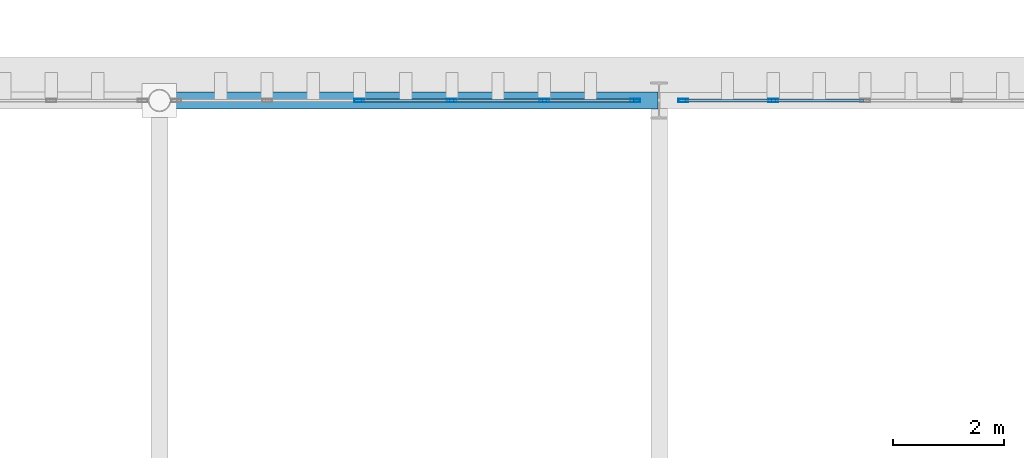
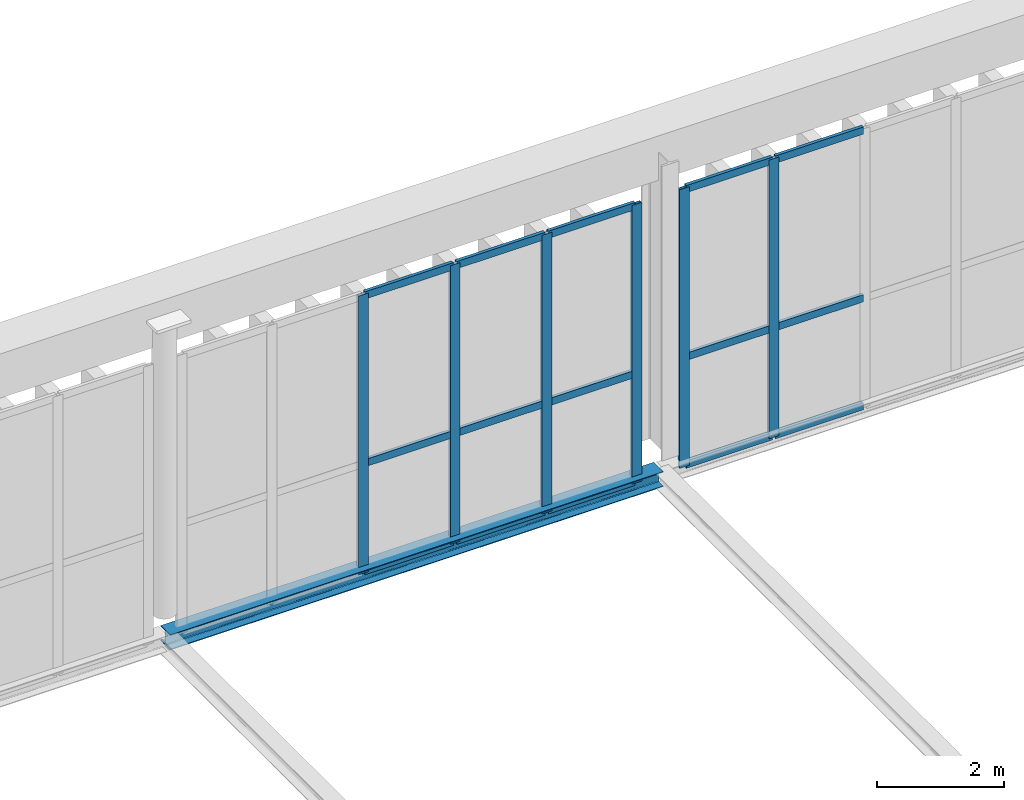
# One storey, part 172 of 237: 21 members, 1 beam, 2 elements without a shape of their own.
"""IFC4 building model written with IfcOpenShell, lengths in metres."""

import ifcopenshell
import ifcopenshell.guid

model = None  # the IFC model being written
_history = None  # IfcOwnerHistory: only IFC2X3 demands one
_inside = {}  # id of a spatial element -> (the spatial element, [elements in it])
_under = {}  # id of a project, library or spatial element -> (it, [spatial elements below it])
_declared = {}  # id of a project -> (the project, [libraries it declares])
_typed = {}  # id of a type object -> (the type object, [elements of that type])
_made_of = {}  # id of a material, layer set ... -> (it, [elements and type objects made of it])


def new_model(schema):
    """Start an empty IFC model of exactly this schema.

    Asked for "IFC4X3", IfcOpenShell would pick the latest addendum, in which some entities
    have other attributes; the version numbers below select the first issue.
    IFC2X3 requires an IfcOwnerHistory on every rooted entity: one is made here for all.
    """
    global model, _history
    if schema == "IFC4X3":
        model = ifcopenshell.file(schema_version=(4, 3, 0, 0))
    else:
        model = ifcopenshell.file(schema=schema)
    _inside.clear()
    _under.clear()
    _declared.clear()
    _typed.clear()
    _made_of.clear()
    _history = None
    if model.schema == "IFC2X3":
        org = make("IfcOrganization", Name="unknown")
        user = make(
            "IfcPersonAndOrganization",
            ThePerson=make("IfcPerson", FamilyName="unknown"),
            TheOrganization=org,
        )
        app = make(
            "IfcApplication",
            ApplicationDeveloper=org,
            Version="unknown",
            ApplicationFullName="unknown",
            ApplicationIdentifier="unknown",
        )
        _history = make(
            "IfcOwnerHistory",
            OwningUser=user,
            OwningApplication=app,
            ChangeAction="ADDED",
            CreationDate=0,
        )
    return model


def make(cls, **values):
    """One entity of the class cls with the attributes given. An attribute that is None is left unset."""
    return model.create_entity(
        cls, **{name: value for name, value in values.items() if value is not None}
    )


def rooted(cls, **values):
    """An entity with a GlobalId (a new one), such as an element, a storey or a relation."""
    return make(cls, GlobalId=ifcopenshell.guid.new(), OwnerHistory=_history, **values)


def si_unit(unit_type, name, prefix=None):
    """IfcSIUnit, for example si_unit("LENGTHUNIT", "METRE", prefix="MILLI")."""
    return make("IfcSIUnit", UnitType=unit_type, Prefix=prefix, Name=name)


def assignment(units):
    """IfcUnitAssignment: the units of a project."""
    return None if units is None else make("IfcUnitAssignment", Units=units)


def point(xyz):
    """IfcCartesianPoint."""
    return None if xyz is None else make("IfcCartesianPoint", Coordinates=xyz)


def direction(xyz):
    """IfcDirection."""
    return None if xyz is None else make("IfcDirection", DirectionRatios=xyz)


def frame(location, z_axis=None, x_axis=None):
    """IfcAxis2Placement3D, a coordinate frame: its origin and axes. An axis left out is left unset."""
    return make(
        "IfcAxis2Placement3D",
        Location=point(location),
        Axis=direction(z_axis),
        RefDirection=direction(x_axis),
    )


def frame_2d(location, x_axis=None):
    """IfcAxis2Placement2D, a coordinate frame in the plane: its origin and x axis."""
    return make(
        "IfcAxis2Placement2D", Location=point(location), RefDirection=direction(x_axis)
    )


def origin():
    """The frame at (0, 0, 0) with its axes left unset."""
    return frame((0.0, 0.0, 0.0))


def origin_2d():
    """The frame at (0, 0) in the plane with its x axis left unset."""
    return frame_2d((0.0, 0.0))


def place(relative_to, where):
    """IfcLocalPlacement: puts the frame where relative to a parent placement (None: the world)."""
    return make(
        "IfcLocalPlacement", PlacementRelTo=relative_to, RelativePlacement=where
    )


def context(
    kind, dimensions, precision=None, world=None, true_north=None, identifier=None
):
    """IfcGeometricRepresentationContext, for example the 3D "Model" context."""
    return make(
        "IfcGeometricRepresentationContext",
        ContextIdentifier=identifier,
        ContextType=kind,
        CoordinateSpaceDimension=dimensions,
        Precision=precision,
        WorldCoordinateSystem=world,
        TrueNorth=true_north,
    )


def subcontext(parent, identifier, kind, view, scale=None):
    """IfcGeometricRepresentationSubContext, for example "Body" below "Model"."""
    return make(
        "IfcGeometricRepresentationSubContext",
        ContextIdentifier=identifier,
        ContextType=kind,
        ParentContext=parent,
        TargetScale=scale,
        TargetView=view,
    )


def project(units=None, contexts=None):
    """IfcProject with its units and contexts."""
    return rooted(
        "IfcProject",
        Name="project",
        RepresentationContexts=contexts,
        UnitsInContext=assignment(units),
    )


def spatial(cls, under=None, at=None, **own):
    """A site, building, storey or space (cls), placed at a placement, below another one or the project."""
    s = rooted(cls, ObjectPlacement=at, **own)
    if under is not None:
        _under.setdefault(under.id(), (under, []))[1].append(s)
    return s


def profile(cls, at=None, kind="AREA", **sizes):
    """A parametric profile (cls). Its sizes go by their IFC names, for example OverallWidth=200.0."""
    return make(cls, ProfileType=kind, Position=at, **sizes)


def hollow_rectangle(**sizes):
    """IfcRectangleHollowProfileDef."""
    return profile("IfcRectangleHollowProfileDef", **sizes)


def i_section(**sizes):
    """IfcIShapeProfileDef."""
    return profile("IfcIShapeProfileDef", **sizes)


def extrude(swept, where, along, depth):
    """IfcExtrudedAreaSolid: the profile swept, set in the frame where, extruded along a direction by depth."""
    return make(
        "IfcExtrudedAreaSolid",
        SweptArea=swept,
        Position=where,
        ExtrudedDirection=direction(along),
        Depth=depth,
    )


def shape(context_of_items, identifier, shape_type, items):
    """IfcShapeRepresentation: the items that make up one representation, for example the "Body"."""
    return make(
        "IfcShapeRepresentation",
        ContextOfItems=context_of_items,
        RepresentationIdentifier=identifier,
        RepresentationType=shape_type,
        Items=items,
    )


def material(Name=None, Category=None):
    """IfcMaterial."""
    return make("IfcMaterial", Name=Name, Category=Category)


def layer(
    of_material, thickness, ventilated=None, Name=None, Category=None, Priority=None
):
    """IfcMaterialLayer: one layer of a wall or slab, of a material (None: an air gap)."""
    return make(
        "IfcMaterialLayer",
        Material=of_material,
        LayerThickness=thickness,
        IsVentilated=ventilated,
        Name=Name,
        Category=Category,
        Priority=Priority,
    )


def layer_set(layers, Name=None):
    """IfcMaterialLayerSet."""
    return make("IfcMaterialLayerSet", MaterialLayers=layers, LayerSetName=Name)


def material_profile(
    of_material, cross_section, Name=None, Category=None, Priority=None
):
    """IfcMaterialProfile: a cross section and its material."""
    return make(
        "IfcMaterialProfile",
        Name=Name,
        Material=of_material,
        Profile=cross_section,
        Priority=Priority,
        Category=Category,
    )


def profile_set(profiles, Name=None, composite=None):
    """IfcMaterialProfileSet."""
    return make(
        "IfcMaterialProfileSet",
        Name=Name,
        MaterialProfiles=profiles,
        CompositeProfile=composite,
    )


def made_of(thing, what):
    """Note that an element or type object is made of a material, layer set ...; save() writes the relation."""
    if what is not None:
        _made_of.setdefault(what.id(), (what, []))[1].append(thing)
    return thing


def type_object(cls, material=None, **own):
    """A type object (cls), such as IfcWallType, which elements share."""
    return made_of(rooted(cls, **own), material)


def element(
    cls,
    number,
    at=None,
    inside=None,
    cuts=None,
    type_object=None,
    material=None,
    context=None,
    identifier="Body",
    shape_type=None,
    held_by="IfcProductDefinitionShape",
    body=None,
    shapes=None,
    **own,
):
    """One element of the class cls, such as IfcWall. Its Tag is "e" and its number.

    at: its placement. inside: the storey or other place that contains it. cuts: it is an
    opening in that element (IfcRelVoidsElement). A single representation is given by context,
    identifier, shape_type and body (its items); several are given by shapes. held_by: the class
    of the entity that holds the representations. save() writes the other relations.
    """
    e = rooted(cls, Tag="e%d" % number, ObjectPlacement=at, **own)
    if body is not None:
        shapes = [shape(context, identifier, shape_type, body)]
    if shapes is not None:
        e.Representation = make(held_by, Representations=shapes)
    if inside is not None:
        _inside.setdefault(inside.id(), (inside, []))[1].append(e)
    if cuts is not None:
        rooted(
            "IfcRelVoidsElement", RelatingBuildingElement=cuts, RelatedOpeningElement=e
        )
    if type_object is not None:
        _typed.setdefault(type_object.id(), (type_object, []))[1].append(e)
    return made_of(e, material)


def aggregate(whole, parts):
    """IfcRelAggregates: a whole, such as a stair, and the parts it consists of."""
    return rooted("IfcRelAggregates", RelatingObject=whole, RelatedObjects=parts)


def save(model, path):
    """Write the relations noted so far, then the file.

    IfcRelAggregates (storeys below a building ...), IfcRelContainedInSpatialStructure (elements
    in a storey), IfcRelDefinesByType, IfcRelAssociatesMaterial and IfcRelDeclares: one each for
    every whole, place, type object, material and project.
    """
    for whole, parts in _under.values():
        aggregate(whole, parts)
    for where, things in _inside.values():
        rooted(
            "IfcRelContainedInSpatialStructure",
            RelatedElements=things,
            RelatingStructure=where,
        )
    for kind, things in _typed.values():
        rooted("IfcRelDefinesByType", RelatedObjects=things, RelatingType=kind)
    for what, things in _made_of.values():
        rooted("IfcRelAssociatesMaterial", RelatedObjects=things, RelatingMaterial=what)
    for by, libraries in _declared.values():
        rooted("IfcRelDeclares", RelatingContext=by, RelatedDefinitions=libraries)
    model.write(path)


model = new_model("IFC4")

# Units and contexts
model_context = context("Model", 3, precision=1e-05, world=origin(), true_north=direction((0.0, 1.0)))
body_context = subcontext(model_context, "Body", "Model", "MODEL_VIEW")
ifc_project = project(units=[si_unit("LENGTHUNIT", "METRE"), si_unit("AREAUNIT", "SQUARE_METRE"), si_unit("VOLUMEUNIT", "CUBIC_METRE"), si_unit("PLANEANGLEUNIT", "RADIAN"), si_unit("MASSUNIT", "GRAM", prefix="KILO")], contexts=[model_context])

# Site, building, storey
site_placement = place(None, origin())
site = spatial("IfcSite", under=ifc_project, at=site_placement, CompositionType="ELEMENT")
building_placement = place(site_placement, origin())
building = spatial("IfcBuilding", under=site, at=building_placement, Name="Barlavento Convention Centre", CompositionType="ELEMENT")
storey_placement = place(building_placement, frame((0.0, 0.0, 12.0)))
storey = spatial("IfcBuildingStorey", under=building, at=storey_placement, Name="L02", CompositionType="ELEMENT", Elevation=12.0)

# Curtain wall, members
ifc_material_1 = material(Name="Powder-coated aluminium and Low-E glass", Category="aluminium")
ifc_layer = layer(ifc_material_1, 0.18505859375)
ifc_layer_set = layer_set([ifc_layer], Name="ARC-CW-EXH-L02")
curtain_wall_type = type_object("IfcCurtainWallType", Name="ARC-CW-EXH-L02", PredefinedType="NOTDEFINED", material=ifc_layer_set)
curtain_wall_1_placement = place(storey_placement, origin())
curtain_wall_1 = element("IfcCurtainWall", 1, at=curtain_wall_1_placement, inside=storey, type_object=curtain_wall_type, Name="L02 unitised curtain wall CW05", PredefinedType="NOTDEFINED")
ifc_material_2 = material(Name="Powder-coated aluminium", Category="aluminium")
ifc_material_profile_1 = material_profile(ifc_material_2, hollow_rectangle(XDim=0.06005859375, YDim=0.179931640625, WallThickness=0.0048828125, at=origin_2d()), Name="AL-MULL 60x180x5")
ifc_profile_set_1 = profile_set([ifc_material_profile_1], Name="Powder-coated aluminium")
member_type_1 = type_object("IfcMemberType", Name="ARC-CWM-60X180", PredefinedType="MULLION", material=ifc_profile_set_1)
member_1_placement = place(storey_placement, frame((57.602294921875, 135.0, -0.5), z_axis=(0.0, 0.0, 1.0), x_axis=(0.0, 1.0, 0.0)))
member_1 = element("IfcMember", 2, at=member_1_placement, type_object=member_type_1, Name="CW05 mullion 3", PredefinedType="MULLION", context=body_context, shape_type="SweptSolid", body=[
    extrude(hollow_rectangle(XDim=0.06005859375, YDim=0.179931640625, WallThickness=0.0048828125, at=origin_2d()), origin(), (0.0, 0.0, 1.0), 5.35009765625),
])
member_2_placement = place(storey_placement, frame((59.266845703125, 135.0, -0.5), z_axis=(0.0, 0.0, 1.0), x_axis=(0.0, 1.0, 0.0)))
member_2 = element("IfcMember", 3, at=member_2_placement, type_object=member_type_1, Name="CW05 mullion 4", PredefinedType="MULLION", context=body_context, shape_type="SweptSolid", body=[
    extrude(hollow_rectangle(XDim=0.06005859375, YDim=0.179931640625, WallThickness=0.0048828125, at=origin_2d()), origin(), (0.0, 0.0, 1.0), 5.35009765625),
])
member_3_placement = place(storey_placement, frame((60.931396484375, 135.0, -0.5), z_axis=(0.0, 0.0, 1.0), x_axis=(0.0, 1.0, 0.0)))
member_3 = element("IfcMember", 4, at=member_3_placement, type_object=member_type_1, Name="CW05 mullion 5", PredefinedType="MULLION", context=body_context, shape_type="SweptSolid", body=[
    extrude(hollow_rectangle(XDim=0.06005859375, YDim=0.179931640625, WallThickness=0.0048828125, at=origin_2d()), origin(), (0.0, 0.0, 1.0), 5.35009765625),
])
member_4_placement = place(storey_placement, frame((62.56591796875, 135.0, -0.5), z_axis=(0.0, 0.0, 1.0), x_axis=(0.0, 1.0, 0.0)))
member_4 = element("IfcMember", 5, at=member_4_placement, type_object=member_type_1, Name="CW05 mullion 6", PredefinedType="MULLION", context=body_context, shape_type="SweptSolid", body=[
    extrude(hollow_rectangle(XDim=0.06005859375, YDim=0.179931640625, WallThickness=0.0048828125, at=origin_2d()), origin(), (0.0, 0.0, 1.0), 5.35009765625),
])

curtain_wall_2_placement = place(storey_placement, origin())
curtain_wall_2 = element("IfcCurtainWall", 6, at=curtain_wall_2_placement, inside=storey, type_object=curtain_wall_type, Name="L02 unitised curtain wall CW05", PredefinedType="NOTDEFINED")
member_5_placement = place(storey_placement, frame((63.43408203125, 135.0, -0.5), z_axis=(0.0, 0.0, 1.0), x_axis=(0.0, 1.0, 0.0)))
member_5 = element("IfcMember", 7, at=member_5_placement, type_object=member_type_1, Name="CW05 mullion 1", PredefinedType="MULLION", context=body_context, shape_type="SweptSolid", body=[
    extrude(hollow_rectangle(XDim=0.06005859375, YDim=0.179931640625, WallThickness=0.0048828125, at=origin_2d()), origin(), (0.0, 0.0, 1.0), 5.35009765625),
])
member_6_placement = place(storey_placement, frame((65.056884765625, 135.0, -0.5), z_axis=(0.0, 0.0, 1.0), x_axis=(0.0, 1.0, 0.0)))
member_6 = element("IfcMember", 8, at=member_6_placement, type_object=member_type_1, Name="CW05 mullion 2", PredefinedType="MULLION", context=body_context, shape_type="SweptSolid", body=[
    extrude(hollow_rectangle(XDim=0.06005859375, YDim=0.179931640625, WallThickness=0.0048828125, at=origin_2d()), origin(), (0.0, 0.0, 1.0), 5.35009765625),
])

# Member
ifc_material_profile_2 = material_profile(ifc_material_2, hollow_rectangle(XDim=0.06005859375, YDim=0.139892578125, WallThickness=0.00390625, at=origin_2d()), Name="AL-TRAN 60x140x4")
ifc_profile_set_2 = profile_set([ifc_material_profile_2], Name="Powder-coated aluminium")
member_type_2 = type_object("IfcMemberType", Name="ARC-CWT-60X140", PredefinedType="USERDEFINED", material=ifc_profile_set_2)
member_7_placement = place(storey_placement, frame((57.63232421875, 135.0, -0.469970703125), z_axis=(1.0, 0.0, 0.0), x_axis=(0.0, 1.0, 0.0)))
member_7 = element("IfcMember", 9, at=member_7_placement, type_object=member_type_2, Name="CW05 transom 3.1", ObjectType="TRANSOM", PredefinedType="USERDEFINED", context=body_context, shape_type="SweptSolid", body=[
    extrude(hollow_rectangle(XDim=0.06005859375, YDim=0.139892578125, WallThickness=0.00390625, at=origin_2d()), origin(), (0.0, 0.0, 1.0), 1.6044921875),
])

member_8_placement = place(storey_placement, frame((57.63232421875, 135.0, 1.60009765625), z_axis=(1.0, 0.0, 0.0), x_axis=(0.0, 1.0, 0.0)))
member_8 = element("IfcMember", 10, at=member_8_placement, type_object=member_type_2, Name="CW05 transom 3.2", ObjectType="TRANSOM", PredefinedType="USERDEFINED", context=body_context, shape_type="SweptSolid", body=[
    extrude(hollow_rectangle(XDim=0.06005859375, YDim=0.139892578125, WallThickness=0.00390625, at=origin_2d()), origin(), (0.0, 0.0, 1.0), 1.6044921875),
])

member_9_placement = place(storey_placement, frame((57.63232421875, 135.0, 4.820068359375), z_axis=(1.0, 0.0, 0.0), x_axis=(0.0, 1.0, 0.0)))
member_9 = element("IfcMember", 11, at=member_9_placement, type_object=member_type_2, Name="CW05 transom 3.3", ObjectType="TRANSOM", PredefinedType="USERDEFINED", context=body_context, shape_type="SweptSolid", body=[
    extrude(hollow_rectangle(XDim=0.06005859375, YDim=0.139892578125, WallThickness=0.00390625, at=origin_2d()), origin(), (0.0, 0.0, 1.0), 1.6044921875),
])

member_10_placement = place(storey_placement, frame((59.296875, 135.0, -0.469970703125), z_axis=(1.0, 0.0, 0.0), x_axis=(0.0, 1.0, 0.0)))
member_10 = element("IfcMember", 12, at=member_10_placement, type_object=member_type_2, Name="CW05 transom 4.1", ObjectType="TRANSOM", PredefinedType="USERDEFINED", context=body_context, shape_type="SweptSolid", body=[
    extrude(hollow_rectangle(XDim=0.06005859375, YDim=0.139892578125, WallThickness=0.00390625, at=origin_2d()), origin(), (0.0, 0.0, 1.0), 1.6044921875),
])

member_11_placement = place(storey_placement, frame((59.296875, 135.0, 1.60009765625), z_axis=(1.0, 0.0, 0.0), x_axis=(0.0, 1.0, 0.0)))
member_11 = element("IfcMember", 13, at=member_11_placement, type_object=member_type_2, Name="CW05 transom 4.2", ObjectType="TRANSOM", PredefinedType="USERDEFINED", context=body_context, shape_type="SweptSolid", body=[
    extrude(hollow_rectangle(XDim=0.06005859375, YDim=0.139892578125, WallThickness=0.00390625, at=origin_2d()), origin(), (0.0, 0.0, 1.0), 1.6044921875),
])

member_12_placement = place(storey_placement, frame((59.296875, 135.0, 4.820068359375), z_axis=(1.0, 0.0, 0.0), x_axis=(0.0, 1.0, 0.0)))
member_12 = element("IfcMember", 14, at=member_12_placement, type_object=member_type_2, Name="CW05 transom 4.3", ObjectType="TRANSOM", PredefinedType="USERDEFINED", context=body_context, shape_type="SweptSolid", body=[
    extrude(hollow_rectangle(XDim=0.06005859375, YDim=0.139892578125, WallThickness=0.00390625, at=origin_2d()), origin(), (0.0, 0.0, 1.0), 1.6044921875),
])

member_13_placement = place(storey_placement, frame((60.96142578125, 135.0, -0.469970703125), z_axis=(1.0, 0.0, 0.0), x_axis=(0.0, 1.0, 0.0)))
member_13 = element("IfcMember", 15, at=member_13_placement, type_object=member_type_2, Name="CW05 transom 5.1", ObjectType="TRANSOM", PredefinedType="USERDEFINED", context=body_context, shape_type="SweptSolid", body=[
    extrude(hollow_rectangle(XDim=0.06005859375, YDim=0.139892578125, WallThickness=0.00390625, at=origin_2d()), origin(), (0.0, 0.0, 1.0), 1.574462890625),
])

member_14_placement = place(storey_placement, frame((60.96142578125, 135.0, 1.60009765625), z_axis=(1.0, 0.0, 0.0), x_axis=(0.0, 1.0, 0.0)))
member_14 = element("IfcMember", 16, at=member_14_placement, type_object=member_type_2, Name="CW05 transom 5.2", ObjectType="TRANSOM", PredefinedType="USERDEFINED", context=body_context, shape_type="SweptSolid", body=[
    extrude(hollow_rectangle(XDim=0.06005859375, YDim=0.139892578125, WallThickness=0.00390625, at=origin_2d()), origin(), (0.0, 0.0, 1.0), 1.574462890625),
])

member_15_placement = place(storey_placement, frame((60.96142578125, 135.0, 4.820068359375), z_axis=(1.0, 0.0, 0.0), x_axis=(0.0, 1.0, 0.0)))
member_15 = element("IfcMember", 17, at=member_15_placement, type_object=member_type_2, Name="CW05 transom 5.3", ObjectType="TRANSOM", PredefinedType="USERDEFINED", context=body_context, shape_type="SweptSolid", body=[
    extrude(hollow_rectangle(XDim=0.06005859375, YDim=0.139892578125, WallThickness=0.00390625, at=origin_2d()), origin(), (0.0, 0.0, 1.0), 1.574462890625),
])

aggregate(curtain_wall_1, [member_1, member_2, member_3, member_4, member_7, member_8, member_9, member_10, member_11, member_12, member_13, member_14, member_15])

member_16_placement = place(storey_placement, frame((63.464111328125, 135.0, -0.469970703125), z_axis=(1.0, 0.0, 0.0), x_axis=(0.0, 1.0, 0.0)))
member_16 = element("IfcMember", 18, at=member_16_placement, type_object=member_type_2, Name="CW05 transom 1.1", ObjectType="TRANSOM", PredefinedType="USERDEFINED", context=body_context, shape_type="SweptSolid", body=[
    extrude(hollow_rectangle(XDim=0.06005859375, YDim=0.139892578125, WallThickness=0.00390625, at=origin_2d()), origin(), (0.0, 0.0, 1.0), 1.562744140625),
])

member_17_placement = place(storey_placement, frame((63.464111328125, 135.0, 1.60009765625), z_axis=(1.0, 0.0, 0.0), x_axis=(0.0, 1.0, 0.0)))
member_17 = element("IfcMember", 19, at=member_17_placement, type_object=member_type_2, Name="CW05 transom 1.2", ObjectType="TRANSOM", PredefinedType="USERDEFINED", context=body_context, shape_type="SweptSolid", body=[
    extrude(hollow_rectangle(XDim=0.06005859375, YDim=0.139892578125, WallThickness=0.00390625, at=origin_2d()), origin(), (0.0, 0.0, 1.0), 1.562744140625),
])

member_18_placement = place(storey_placement, frame((63.464111328125, 135.0, 4.820068359375), z_axis=(1.0, 0.0, 0.0), x_axis=(0.0, 1.0, 0.0)))
member_18 = element("IfcMember", 20, at=member_18_placement, type_object=member_type_2, Name="CW05 transom 1.3", ObjectType="TRANSOM", PredefinedType="USERDEFINED", context=body_context, shape_type="SweptSolid", body=[
    extrude(hollow_rectangle(XDim=0.06005859375, YDim=0.139892578125, WallThickness=0.00390625, at=origin_2d()), origin(), (0.0, 0.0, 1.0), 1.562744140625),
])

member_19_placement = place(storey_placement, frame((65.0869140625, 135.0, -0.469970703125), z_axis=(1.0, 0.0, 0.0), x_axis=(0.0, 1.0, 0.0)))
member_19 = element("IfcMember", 21, at=member_19_placement, type_object=member_type_2, Name="CW05 transom 2.1", ObjectType="TRANSOM", PredefinedType="USERDEFINED", context=body_context, shape_type="SweptSolid", body=[
    extrude(hollow_rectangle(XDim=0.06005859375, YDim=0.139892578125, WallThickness=0.00390625, at=origin_2d()), origin(), (0.0, 0.0, 1.0), 1.5927734375),
])

member_20_placement = place(storey_placement, frame((65.0869140625, 135.0, 1.60009765625), z_axis=(1.0, 0.0, 0.0), x_axis=(0.0, 1.0, 0.0)))
member_20 = element("IfcMember", 22, at=member_20_placement, type_object=member_type_2, Name="CW05 transom 2.2", ObjectType="TRANSOM", PredefinedType="USERDEFINED", context=body_context, shape_type="SweptSolid", body=[
    extrude(hollow_rectangle(XDim=0.06005859375, YDim=0.139892578125, WallThickness=0.00390625, at=origin_2d()), origin(), (0.0, 0.0, 1.0), 1.5927734375),
])

member_21_placement = place(storey_placement, frame((65.0869140625, 135.0, 4.820068359375), z_axis=(1.0, 0.0, 0.0), x_axis=(0.0, 1.0, 0.0)))
member_21 = element("IfcMember", 23, at=member_21_placement, type_object=member_type_2, Name="CW05 transom 2.3", ObjectType="TRANSOM", PredefinedType="USERDEFINED", context=body_context, shape_type="SweptSolid", body=[
    extrude(hollow_rectangle(XDim=0.06005859375, YDim=0.139892578125, WallThickness=0.00390625, at=origin_2d()), origin(), (0.0, 0.0, 1.0), 1.5927734375),
])

aggregate(curtain_wall_2, [member_5, member_6, member_16, member_17, member_18, member_19, member_20, member_21])

# Beam
ifc_material_3 = material(Name="Steel S355", Category="steel")
ifc_material_profile_3 = material_profile(ifc_material_3, i_section(OverallWidth=0.300048828125, OverallDepth=0.2900390625, WebThickness=0.008544921875, FlangeThickness=0.013916015625, FilletRadius=0.027099609375, at=origin_2d()), Name="HEA 300")
ifc_profile_set_3 = profile_set([ifc_material_profile_3], Name="Steel S355")
beam_type = type_object("IfcBeamType", Name="STR-BM-SPN-HEA300", PredefinedType="SPANDREL", material=ifc_profile_set_3)
beam_placement = place(storey_placement, frame((54.02001953125, 135.0, -0.5048828125), z_axis=(1.0, 0.0, 0.0), x_axis=(0.0, 1.0, 0.0)))
element("IfcBeam", 24, at=beam_placement, inside=storey, type_object=beam_type, Name="L02 primary girder SP02", PredefinedType="SPANDREL", context=body_context, shape_type="SweptSolid", body=[
    extrude(i_section(OverallWidth=0.300048828125, OverallDepth=0.2900390625, WebThickness=0.008544921875, FlangeThickness=0.013916015625, FilletRadius=0.027099609375, at=origin_2d()), origin(), (0.0, 0.0, 1.0), 8.9599609375),
])

save(model, "model.ifc")
